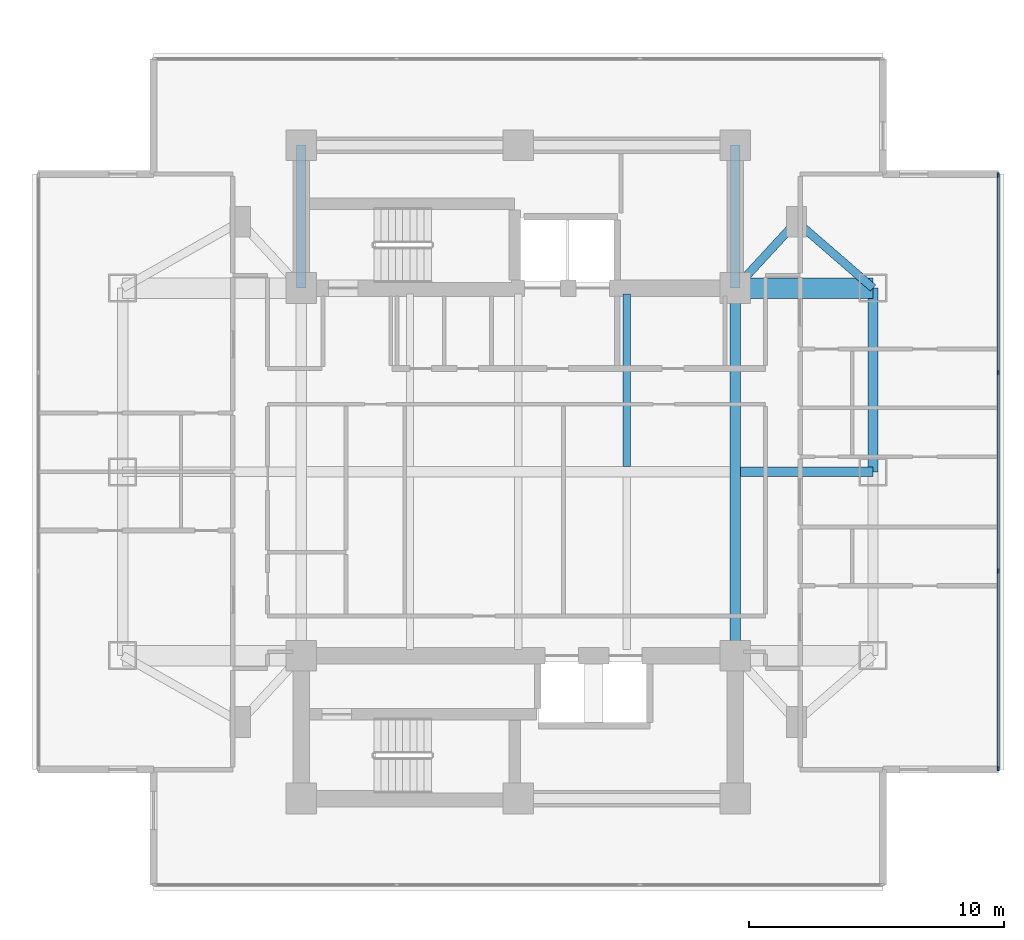
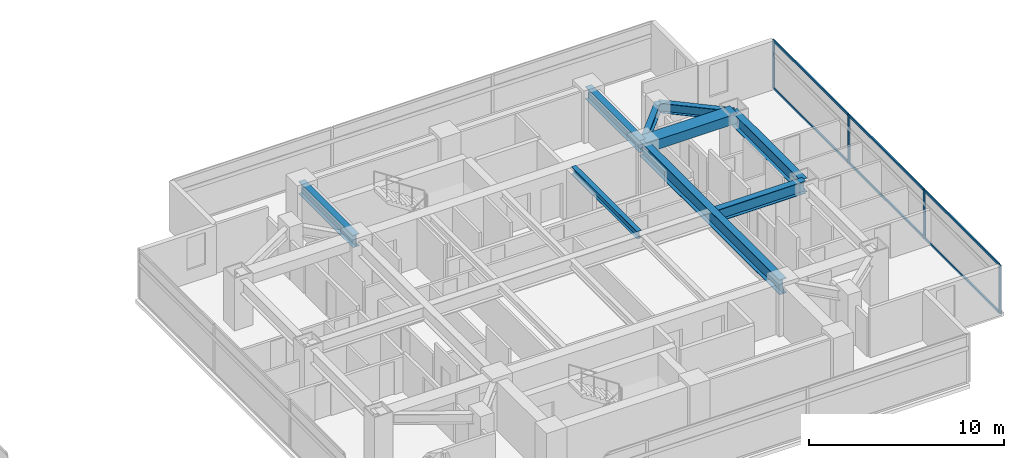
# One storey, part 10 of 25: 10 members, 9 beams, 1 element without a shape of its own.
"""IFC4 building model written with IfcOpenShell, lengths in metres."""

from ifc_helpers import new_model, si_unit, direction, frame, origin, origin_2d, place, context, subcontext, project, spatial, rectangle, i_section, extrude, material, material_profile, profile_set, type_object, element, aggregate, save


model = new_model("IFC4")

# Units and contexts
model_context = context("Model", 3, precision=1e-05, world=origin(), true_north=direction((0.0, 1.0)))
body_context = subcontext(model_context, "Body", "Model", "MODEL_VIEW")
ifc_project = project(units=[si_unit("LENGTHUNIT", "METRE"), si_unit("AREAUNIT", "SQUARE_METRE"), si_unit("VOLUMEUNIT", "CUBIC_METRE"), si_unit("PLANEANGLEUNIT", "RADIAN"), si_unit("MASSUNIT", "GRAM", prefix="KILO")], contexts=[model_context])

# Site, building, storey
site_placement = place(None, origin())
site = spatial("IfcSite", under=ifc_project, at=site_placement, CompositionType="ELEMENT")
building_placement = place(site_placement, origin())
building = spatial("IfcBuilding", under=site, at=building_placement, Name="Mirazonda Arch Towers", CompositionType="ELEMENT")
storey_placement = place(building_placement, frame((0.0, 0.0, 111.5)))
storey = spatial("IfcBuildingStorey", under=building, at=storey_placement, Name="L31", CompositionType="ELEMENT", Elevation=111.5)

# Beams
ifc_material_1 = material(Name="Steel ASTM A992 Grade 50", Category="steel")
ifc_material_profile_1 = material_profile(ifc_material_1, i_section(OverallWidth=0.39990234375, OverallDepth=0.85595703125, WebThickness=0.018310546875, FlangeThickness=0.029296875, at=origin_2d()), Name="W33X201")
ifc_profile_set_1 = profile_set([ifc_material_profile_1], Name="Steel ASTM A992 Grade 50")
beam_type_1 = type_object("IfcBeamType", Name="BM-EXT-W33X201", PredefinedType="USERDEFINED", material=ifc_profile_set_1)
beam_1_placement = place(storey_placement, frame((90.39990234375, 28.0, 2.652099609375), z_axis=(0.0, 1.0, 0.0), x_axis=(-1.0, 0.0, 0.0)))
element("IfcBeam", 1, at=beam_1_placement, inside=storey, type_object=beam_type_1, Name="L31 Floor Beam BM-T2-L31-NS-E-28", ObjectType="GIRDER", PredefinedType="USERDEFINED", context=body_context, shape_type="SweptSolid", body=[
    extrude(i_section(OverallWidth=0.39990234375, OverallDepth=0.85595703125, WebThickness=0.018310546875, FlangeThickness=0.029296875, at=origin_2d()), origin(), (0.0, 0.0, 1.0), 7.199951171875),
])
ifc_material_profile_2 = material_profile(ifc_material_1, i_section(OverallWidth=0.280029296875, OverallDepth=0.462890625, WebThickness=0.0107421875, FlangeThickness=0.017333984375, at=origin_2d()), Name="W18X76")
ifc_profile_set_2 = profile_set([ifc_material_profile_2], Name="Steel ASTM A992 Grade 50")
beam_type_2 = type_object("IfcBeamType", Name="BM-INT-W18X76", PredefinedType="JOIST", material=ifc_profile_set_2)
beam_2_placement = place(storey_placement, frame((80.75, 28.205078125, 2.848388671875), z_axis=(0.0, 1.0, 0.0), x_axis=(-1.0, 0.0, 0.0)))
element("IfcBeam", 2, at=beam_2_placement, inside=storey, type_object=beam_type_2, Name="L31 Floor Beam BM-T2-L31-J-807-28", PredefinedType="JOIST", context=body_context, shape_type="SweptSolid", body=[
    extrude(i_section(OverallWidth=0.280029296875, OverallDepth=0.462890625, WebThickness=0.0107421875, FlangeThickness=0.017333984375, at=origin_2d()), origin(), (0.0, 0.0, 1.0), 6.7548828125),
])
ifc_material_profile_3 = material_profile(ifc_material_1, i_section(OverallWidth=0.324951171875, OverallDepth=0.615966796875, WebThickness=0.013916015625, FlangeThickness=0.021484375, at=origin_2d()), Name="W24X117")
ifc_profile_set_3 = profile_set([ifc_material_profile_3], Name="Steel ASTM A992 Grade 50")
beam_type_3 = type_object("IfcBeamType", Name="BM-INT-W24X117", PredefinedType="BEAM", material=ifc_profile_set_3)
beam_3_placement = place(storey_placement, frame((87.39990234375, 37.800048828125, 2.77197265625), z_axis=(-0.678251444854, -0.734829897019, 0.0), x_axis=(0.734829897019, -0.678251444854, 0.0)))
element("IfcBeam", 3, at=beam_3_placement, inside=storey, type_object=beam_type_3, Name="L31 Floor Beam BM-T2-L31-PL-NE1", PredefinedType="BEAM", context=body_context, shape_type="SweptSolid", body=[
    extrude(i_section(OverallWidth=0.324951171875, OverallDepth=0.615966796875, WebThickness=0.013916015625, FlangeThickness=0.021484375, at=origin_2d()), origin(), (0.0, 0.0, 1.0), 3.538330078125),
])
beam_4_placement = place(storey_placement, frame((87.39990234375, 37.800048828125, 2.77197265625), z_axis=(0.755676908098, -0.654944585876, 0.0), x_axis=(0.654944585876, 0.755676908098, 0.0)))
element("IfcBeam", 4, at=beam_4_placement, inside=storey, type_object=beam_type_3, Name="L31 Floor Beam BM-T2-L31-PL-NE2", PredefinedType="BEAM", context=body_context, shape_type="SweptSolid", body=[
    extrude(i_section(OverallWidth=0.324951171875, OverallDepth=0.615966796875, WebThickness=0.013916015625, FlangeThickness=0.021484375, at=origin_2d()), origin(), (0.0, 0.0, 1.0), 3.969970703125),
])
ifc_material_profile_4 = material_profile(ifc_material_1, i_section(OverallWidth=0.381103515625, OverallDepth=0.77294921875, WebThickness=0.0166015625, FlangeThickness=0.027099609375, at=origin_2d()), Name="W30X173")
ifc_profile_set_4 = profile_set([ifc_material_profile_4], Name="Steel ASTM A992 Grade 50")
beam_type_4 = type_object("IfcBeamType", Name="BM-INT-W30X173", PredefinedType="USERDEFINED", material=ifc_profile_set_4)
for number, where, z_axis, x_axis, name in (
    (5, (68.0, 35.199951171875, 2.693603515625), (0.0, 1.0, 0.0), (-1.0, 0.0, 0.0), "L31 Floor Beam BM-T2-L31-CNW"),
    (6, (85.0, 35.199951171875, 2.693603515625), (0.0, 1.0, 0.0), (-1.0, 0.0, 0.0), "L31 Floor Beam BM-T2-L31-CNE"),
):
    element("IfcBeam", number, at=place(storey_placement, frame(where, z_axis=z_axis, x_axis=x_axis)), inside=storey, type_object=beam_type_4, Name=name, ObjectType="GIRDER", PredefinedType="USERDEFINED", context=body_context, shape_type="SweptSolid", body=[
        extrude(i_section(OverallWidth=0.381103515625, OverallDepth=0.77294921875, WebThickness=0.0166015625, FlangeThickness=0.027099609375, at=origin_2d()), origin(), (0.0, 0.0, 1.0), 5.60009765625),
    ])
beam_5_placement = place(storey_placement, frame((85.208984375, 28.0, 2.693603515625), z_axis=(1.0, 0.0, 0.0), x_axis=(0.0, 1.0, 0.0)))
element("IfcBeam", 7, at=beam_5_placement, inside=storey, type_object=beam_type_4, Name="L31 Floor Beam BM-T2-L31-GE2", ObjectType="GIRDER", PredefinedType="USERDEFINED", context=body_context, shape_type="SweptSolid", body=[
    extrude(i_section(OverallWidth=0.381103515625, OverallDepth=0.77294921875, WebThickness=0.0166015625, FlangeThickness=0.027099609375, at=origin_2d()), origin(), (0.0, 0.0, 1.0), 5.19091796875),
])
ifc_material_profile_5 = material_profile(ifc_material_1, i_section(OverallWidth=0.41796875, OverallDepth=0.927001953125, WebThickness=0.019287109375, FlangeThickness=0.031982421875, at=origin_2d()), Name="W36X231")
ifc_profile_set_5 = profile_set([ifc_material_profile_5], Name="Steel ASTM A992 Grade 50")
beam_type_5 = type_object("IfcBeamType", Name="BM-INT-W36X231", PredefinedType="USERDEFINED", material=ifc_profile_set_5)
beam_6_placement = place(storey_placement, frame((85.0, 20.800048828125, 2.616455078125), z_axis=(0.0, 1.0, 0.0), x_axis=(-1.0, 0.0, 0.0)))
element("IfcBeam", 8, at=beam_6_placement, inside=storey, type_object=beam_type_5, Name="L31 Floor Beam BM-T2-L31-NS-CE-FULL", ObjectType="GIRDER", PredefinedType="USERDEFINED", context=body_context, shape_type="SweptSolid", body=[
    extrude(i_section(OverallWidth=0.41796875, OverallDepth=0.927001953125, WebThickness=0.019287109375, FlangeThickness=0.031982421875, at=origin_2d()), origin(), (0.0, 0.0, 1.0), 14.39990234375),
])
ifc_material_2 = material(Name="Concrete C60/75", Category="concrete")
ifc_material_profile_6 = material_profile(ifc_material_2, rectangle(XDim=0.800048828125, YDim=0.60009765625, at=origin_2d()), Name="RCCB800x600")
ifc_profile_set_6 = profile_set([ifc_material_profile_6], Name="Concrete C60/75")
beam_type_6 = type_object("IfcBeamType", Name="CB-INT-RCCB800x600", PredefinedType="SPANDREL", material=ifc_profile_set_6)
beam_7_placement = place(storey_placement, frame((85.0, 35.199951171875, 2.780029296875), z_axis=(1.0, 0.0, 0.0), x_axis=(0.0, 1.0, 0.0)))
element("IfcBeam", 9, at=beam_7_placement, inside=storey, type_object=beam_type_6, Name="L31 Floor Beam CBC-T2-L31-NE", PredefinedType="SPANDREL", context=body_context, shape_type="SweptSolid", body=[
    extrude(rectangle(XDim=0.800048828125, YDim=0.60009765625, at=origin_2d()), origin(), (0.0, 0.0, 1.0), 5.39990234375),
])

# Curtain wall, members
ifc_material_3 = material(Name="Anodised Aluminium and Low-E Glass", Category="aluminium")
curtain_wall_type = type_object("IfcCurtainWallType", Name="CW-HTL-UNIT", PredefinedType="NOTDEFINED", material=ifc_material_3)
curtain_wall_placement = place(storey_placement, origin())
curtain_wall = element("IfcCurtainWall", 10, at=curtain_wall_placement, inside=storey, type_object=curtain_wall_type, Name="L31 T2 E Facade CW-L31-T2-E", PredefinedType="NOTDEFINED")
ifc_material_4 = material(Name="Anodised Aluminium Alloy", Category="aluminium")
ifc_material_profile_7 = material_profile(ifc_material_4, rectangle(XDim=0.074951171875, YDim=0.1650390625, at=origin_2d()), Name="ALU-MULL-75x165")
ifc_profile_set_7 = profile_set([ifc_material_profile_7], Name="Anodised Aluminium Alloy")
member_type_1 = type_object("IfcMemberType", Name="MULL-CW-HTL-UNIT", PredefinedType="MULLION", material=ifc_profile_set_7)
member_1_placement = place(storey_placement, frame((95.30859375, 16.373291015625, 0.0), z_axis=(0.0, 0.0, 1.0), x_axis=(-1.0, 0.0, 0.0)))
member_1 = element("IfcMember", 11, at=member_1_placement, type_object=member_type_1, Name="CW-112 mullion 1", PredefinedType="MULLION", context=body_context, shape_type="SweptSolid", body=[
    extrude(rectangle(XDim=0.074951171875, YDim=0.1650390625, at=origin_2d()), origin(), (0.0, 0.0, 1.0), 3.06005859375),
])
member_2_placement = place(storey_placement, frame((95.30859375, 24.11181640625, 0.0), z_axis=(0.0, 0.0, 1.0), x_axis=(-1.0, 0.0, 0.0)))
member_2 = element("IfcMember", 12, at=member_2_placement, type_object=member_type_1, Name="CW-112 mullion 2", PredefinedType="MULLION", context=body_context, shape_type="SweptSolid", body=[
    extrude(rectangle(XDim=0.074951171875, YDim=0.1650390625, at=origin_2d()), origin(), (0.0, 0.0, 1.0), 3.06005859375),
])
member_3_placement = place(storey_placement, frame((95.30859375, 31.88818359375, 0.0), z_axis=(0.0, 0.0, 1.0), x_axis=(-1.0, 0.0, 0.0)))
member_3 = element("IfcMember", 13, at=member_3_placement, type_object=member_type_1, Name="CW-112 mullion 3", PredefinedType="MULLION", context=body_context, shape_type="SweptSolid", body=[
    extrude(rectangle(XDim=0.074951171875, YDim=0.1650390625, at=origin_2d()), origin(), (0.0, 0.0, 1.0), 3.06005859375),
])
member_4_placement = place(storey_placement, frame((95.30859375, 39.626708984375, 0.0), z_axis=(0.0, 0.0, 1.0), x_axis=(-1.0, 0.0, 0.0)))
member_4 = element("IfcMember", 14, at=member_4_placement, type_object=member_type_1, Name="CW-112 mullion 4", PredefinedType="MULLION", context=body_context, shape_type="SweptSolid", body=[
    extrude(rectangle(XDim=0.074951171875, YDim=0.1650390625, at=origin_2d()), origin(), (0.0, 0.0, 1.0), 3.06005859375),
])
ifc_material_profile_8 = material_profile(ifc_material_4, rectangle(XDim=0.074951171875, YDim=0.14501953125, at=origin_2d()), Name="ALU-TRAN-75x145")
ifc_profile_set_8 = profile_set([ifc_material_profile_8], Name="Anodised Aluminium Alloy")
member_type_2 = type_object("IfcMemberType", Name="TRAN-CW-HTL-UNIT", PredefinedType="USERDEFINED", material=ifc_profile_set_8)
member_5_placement = place(storey_placement, frame((95.30859375, 16.41064453125, 0.03759765625), z_axis=(0.0, 1.0, 0.0), x_axis=(-1.0, 0.0, 0.0)))
member_5 = element("IfcMember", 15, at=member_5_placement, type_object=member_type_2, Name="CW-112 transom 1.1", ObjectType="TRANSOM", PredefinedType="USERDEFINED", context=body_context, shape_type="SweptSolid", body=[
    extrude(rectangle(XDim=0.074951171875, YDim=0.14501953125, at=origin_2d()), origin(), (0.0, 0.0, 1.0), 7.663818359375),
])
member_6_placement = place(storey_placement, frame((95.30859375, 16.41064453125, 3.0224609375), z_axis=(0.0, 1.0, 0.0), x_axis=(-1.0, 0.0, 0.0)))
member_6 = element("IfcMember", 16, at=member_6_placement, type_object=member_type_2, Name="CW-112 transom 1.2", ObjectType="TRANSOM", PredefinedType="USERDEFINED", context=body_context, shape_type="SweptSolid", body=[
    extrude(rectangle(XDim=0.074951171875, YDim=0.14501953125, at=origin_2d()), origin(), (0.0, 0.0, 1.0), 7.663818359375),
])
member_7_placement = place(storey_placement, frame((95.30859375, 24.1494140625, 0.03759765625), z_axis=(0.0, 1.0, 0.0), x_axis=(-1.0, 0.0, 0.0)))
member_7 = element("IfcMember", 17, at=member_7_placement, type_object=member_type_2, Name="CW-112 transom 2.1", ObjectType="TRANSOM", PredefinedType="USERDEFINED", context=body_context, shape_type="SweptSolid", body=[
    extrude(rectangle(XDim=0.074951171875, YDim=0.14501953125, at=origin_2d()), origin(), (0.0, 0.0, 1.0), 7.701171875),
])
member_8_placement = place(storey_placement, frame((95.30859375, 24.1494140625, 3.0224609375), z_axis=(0.0, 1.0, 0.0), x_axis=(-1.0, 0.0, 0.0)))
member_8 = element("IfcMember", 18, at=member_8_placement, type_object=member_type_2, Name="CW-112 transom 2.2", ObjectType="TRANSOM", PredefinedType="USERDEFINED", context=body_context, shape_type="SweptSolid", body=[
    extrude(rectangle(XDim=0.074951171875, YDim=0.14501953125, at=origin_2d()), origin(), (0.0, 0.0, 1.0), 7.701171875),
])
member_9_placement = place(storey_placement, frame((95.30859375, 31.925537109375, 0.03759765625), z_axis=(0.0, 1.0, 0.0), x_axis=(-1.0, 0.0, 0.0)))
member_9 = element("IfcMember", 19, at=member_9_placement, type_object=member_type_2, Name="CW-112 transom 3.1", ObjectType="TRANSOM", PredefinedType="USERDEFINED", context=body_context, shape_type="SweptSolid", body=[
    extrude(rectangle(XDim=0.074951171875, YDim=0.14501953125, at=origin_2d()), origin(), (0.0, 0.0, 1.0), 7.663818359375),
])
member_10_placement = place(storey_placement, frame((95.30859375, 31.925537109375, 3.0224609375), z_axis=(0.0, 1.0, 0.0), x_axis=(-1.0, 0.0, 0.0)))
member_10 = element("IfcMember", 20, at=member_10_placement, type_object=member_type_2, Name="CW-112 transom 3.2", ObjectType="TRANSOM", PredefinedType="USERDEFINED", context=body_context, shape_type="SweptSolid", body=[
    extrude(rectangle(XDim=0.074951171875, YDim=0.14501953125, at=origin_2d()), origin(), (0.0, 0.0, 1.0), 7.663818359375),
])
aggregate(curtain_wall, [member_1, member_2, member_3, member_4, member_5, member_6, member_7, member_8, member_9, member_10])

save(model, "model.ifc")
